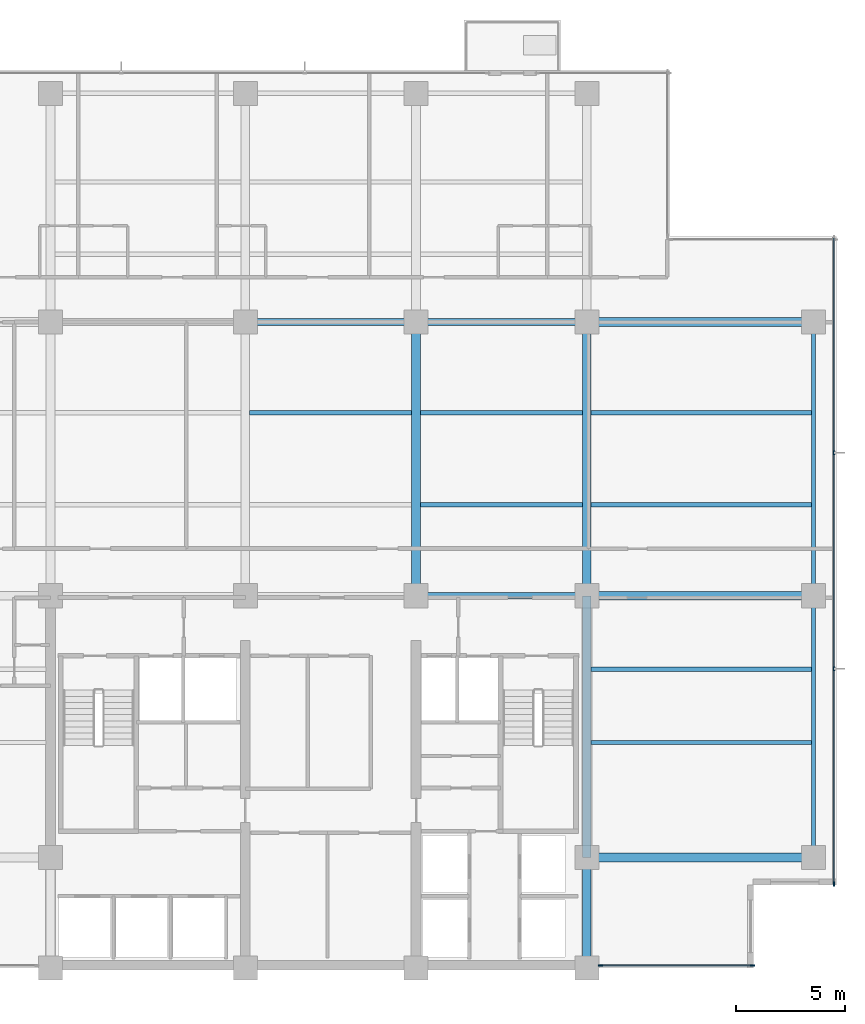
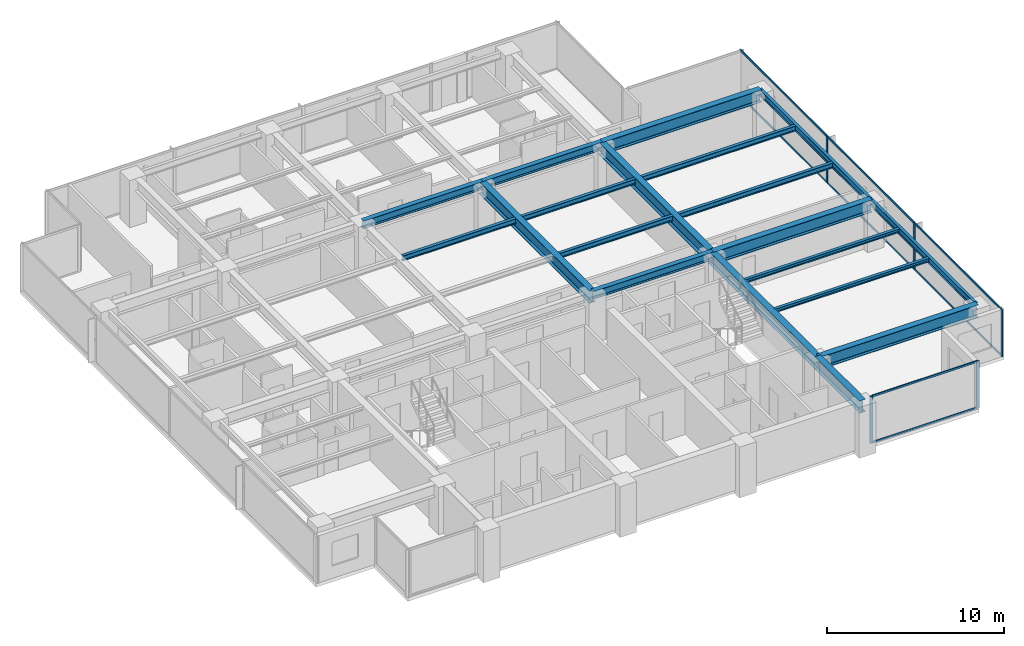
# One storey, part 3 of 15: 19 beams, 13 members, 2 elements without a shape of their own.
"""IFC4 building model written with IfcOpenShell, lengths in metres."""

import ifcopenshell
import ifcopenshell.guid

model = None  # the IFC model being written
_history = None  # IfcOwnerHistory: only IFC2X3 demands one
_inside = {}  # id of a spatial element -> (the spatial element, [elements in it])
_under = {}  # id of a project, library or spatial element -> (it, [spatial elements below it])
_declared = {}  # id of a project -> (the project, [libraries it declares])
_typed = {}  # id of a type object -> (the type object, [elements of that type])
_made_of = {}  # id of a material, layer set ... -> (it, [elements and type objects made of it])


def new_model(schema):
    """Start an empty IFC model of exactly this schema.

    Asked for "IFC4X3", IfcOpenShell would pick the latest addendum, in which some entities
    have other attributes; the version numbers below select the first issue.
    IFC2X3 requires an IfcOwnerHistory on every rooted entity: one is made here for all.
    """
    global model, _history
    if schema == "IFC4X3":
        model = ifcopenshell.file(schema_version=(4, 3, 0, 0))
    else:
        model = ifcopenshell.file(schema=schema)
    _inside.clear()
    _under.clear()
    _declared.clear()
    _typed.clear()
    _made_of.clear()
    _history = None
    if model.schema == "IFC2X3":
        org = make("IfcOrganization", Name="unknown")
        user = make(
            "IfcPersonAndOrganization",
            ThePerson=make("IfcPerson", FamilyName="unknown"),
            TheOrganization=org,
        )
        app = make(
            "IfcApplication",
            ApplicationDeveloper=org,
            Version="unknown",
            ApplicationFullName="unknown",
            ApplicationIdentifier="unknown",
        )
        _history = make(
            "IfcOwnerHistory",
            OwningUser=user,
            OwningApplication=app,
            ChangeAction="ADDED",
            CreationDate=0,
        )
    return model


def make(cls, **values):
    """One entity of the class cls with the attributes given. An attribute that is None is left unset."""
    return model.create_entity(
        cls, **{name: value for name, value in values.items() if value is not None}
    )


def rooted(cls, **values):
    """An entity with a GlobalId (a new one), such as an element, a storey or a relation."""
    return make(cls, GlobalId=ifcopenshell.guid.new(), OwnerHistory=_history, **values)


def si_unit(unit_type, name, prefix=None):
    """IfcSIUnit, for example si_unit("LENGTHUNIT", "METRE", prefix="MILLI")."""
    return make("IfcSIUnit", UnitType=unit_type, Prefix=prefix, Name=name)


def assignment(units):
    """IfcUnitAssignment: the units of a project."""
    return None if units is None else make("IfcUnitAssignment", Units=units)


def point(xyz):
    """IfcCartesianPoint."""
    return None if xyz is None else make("IfcCartesianPoint", Coordinates=xyz)


def direction(xyz):
    """IfcDirection."""
    return None if xyz is None else make("IfcDirection", DirectionRatios=xyz)


def frame(location, z_axis=None, x_axis=None):
    """IfcAxis2Placement3D, a coordinate frame: its origin and axes. An axis left out is left unset."""
    return make(
        "IfcAxis2Placement3D",
        Location=point(location),
        Axis=direction(z_axis),
        RefDirection=direction(x_axis),
    )


def frame_2d(location, x_axis=None):
    """IfcAxis2Placement2D, a coordinate frame in the plane: its origin and x axis."""
    return make(
        "IfcAxis2Placement2D", Location=point(location), RefDirection=direction(x_axis)
    )


def origin():
    """The frame at (0, 0, 0) with its axes left unset."""
    return frame((0.0, 0.0, 0.0))


def origin_2d():
    """The frame at (0, 0) in the plane with its x axis left unset."""
    return frame_2d((0.0, 0.0))


def place(relative_to, where):
    """IfcLocalPlacement: puts the frame where relative to a parent placement (None: the world)."""
    return make(
        "IfcLocalPlacement", PlacementRelTo=relative_to, RelativePlacement=where
    )


def context(
    kind, dimensions, precision=None, world=None, true_north=None, identifier=None
):
    """IfcGeometricRepresentationContext, for example the 3D "Model" context."""
    return make(
        "IfcGeometricRepresentationContext",
        ContextIdentifier=identifier,
        ContextType=kind,
        CoordinateSpaceDimension=dimensions,
        Precision=precision,
        WorldCoordinateSystem=world,
        TrueNorth=true_north,
    )


def subcontext(parent, identifier, kind, view, scale=None):
    """IfcGeometricRepresentationSubContext, for example "Body" below "Model"."""
    return make(
        "IfcGeometricRepresentationSubContext",
        ContextIdentifier=identifier,
        ContextType=kind,
        ParentContext=parent,
        TargetScale=scale,
        TargetView=view,
    )


def project(units=None, contexts=None):
    """IfcProject with its units and contexts."""
    return rooted(
        "IfcProject",
        Name="project",
        RepresentationContexts=contexts,
        UnitsInContext=assignment(units),
    )


def spatial(cls, under=None, at=None, **own):
    """A site, building, storey or space (cls), placed at a placement, below another one or the project."""
    s = rooted(cls, ObjectPlacement=at, **own)
    if under is not None:
        _under.setdefault(under.id(), (under, []))[1].append(s)
    return s


def profile(cls, at=None, kind="AREA", **sizes):
    """A parametric profile (cls). Its sizes go by their IFC names, for example OverallWidth=200.0."""
    return make(cls, ProfileType=kind, Position=at, **sizes)


def rectangle(**sizes):
    """IfcRectangleProfileDef."""
    return profile("IfcRectangleProfileDef", **sizes)


def i_section(**sizes):
    """IfcIShapeProfileDef."""
    return profile("IfcIShapeProfileDef", **sizes)


def extrude(swept, where, along, depth):
    """IfcExtrudedAreaSolid: the profile swept, set in the frame where, extruded along a direction by depth."""
    return make(
        "IfcExtrudedAreaSolid",
        SweptArea=swept,
        Position=where,
        ExtrudedDirection=direction(along),
        Depth=depth,
    )


def shape(context_of_items, identifier, shape_type, items):
    """IfcShapeRepresentation: the items that make up one representation, for example the "Body"."""
    return make(
        "IfcShapeRepresentation",
        ContextOfItems=context_of_items,
        RepresentationIdentifier=identifier,
        RepresentationType=shape_type,
        Items=items,
    )


def material(Name=None, Category=None):
    """IfcMaterial."""
    return make("IfcMaterial", Name=Name, Category=Category)


def layer(
    of_material, thickness, ventilated=None, Name=None, Category=None, Priority=None
):
    """IfcMaterialLayer: one layer of a wall or slab, of a material (None: an air gap)."""
    return make(
        "IfcMaterialLayer",
        Material=of_material,
        LayerThickness=thickness,
        IsVentilated=ventilated,
        Name=Name,
        Category=Category,
        Priority=Priority,
    )


def layer_set(layers, Name=None):
    """IfcMaterialLayerSet."""
    return make("IfcMaterialLayerSet", MaterialLayers=layers, LayerSetName=Name)


def material_profile(
    of_material, cross_section, Name=None, Category=None, Priority=None
):
    """IfcMaterialProfile: a cross section and its material."""
    return make(
        "IfcMaterialProfile",
        Name=Name,
        Material=of_material,
        Profile=cross_section,
        Priority=Priority,
        Category=Category,
    )


def profile_set(profiles, Name=None, composite=None):
    """IfcMaterialProfileSet."""
    return make(
        "IfcMaterialProfileSet",
        Name=Name,
        MaterialProfiles=profiles,
        CompositeProfile=composite,
    )


def made_of(thing, what):
    """Note that an element or type object is made of a material, layer set ...; save() writes the relation."""
    if what is not None:
        _made_of.setdefault(what.id(), (what, []))[1].append(thing)
    return thing


def type_object(cls, material=None, **own):
    """A type object (cls), such as IfcWallType, which elements share."""
    return made_of(rooted(cls, **own), material)


def element(
    cls,
    number,
    at=None,
    inside=None,
    cuts=None,
    type_object=None,
    material=None,
    context=None,
    identifier="Body",
    shape_type=None,
    held_by="IfcProductDefinitionShape",
    body=None,
    shapes=None,
    **own,
):
    """One element of the class cls, such as IfcWall. Its Tag is "e" and its number.

    at: its placement. inside: the storey or other place that contains it. cuts: it is an
    opening in that element (IfcRelVoidsElement). A single representation is given by context,
    identifier, shape_type and body (its items); several are given by shapes. held_by: the class
    of the entity that holds the representations. save() writes the other relations.
    """
    e = rooted(cls, Tag="e%d" % number, ObjectPlacement=at, **own)
    if body is not None:
        shapes = [shape(context, identifier, shape_type, body)]
    if shapes is not None:
        e.Representation = make(held_by, Representations=shapes)
    if inside is not None:
        _inside.setdefault(inside.id(), (inside, []))[1].append(e)
    if cuts is not None:
        rooted(
            "IfcRelVoidsElement", RelatingBuildingElement=cuts, RelatedOpeningElement=e
        )
    if type_object is not None:
        _typed.setdefault(type_object.id(), (type_object, []))[1].append(e)
    return made_of(e, material)


def aggregate(whole, parts):
    """IfcRelAggregates: a whole, such as a stair, and the parts it consists of."""
    return rooted("IfcRelAggregates", RelatingObject=whole, RelatedObjects=parts)


def save(model, path):
    """Write the relations noted so far, then the file.

    IfcRelAggregates (storeys below a building ...), IfcRelContainedInSpatialStructure (elements
    in a storey), IfcRelDefinesByType, IfcRelAssociatesMaterial and IfcRelDeclares: one each for
    every whole, place, type object, material and project.
    """
    for whole, parts in _under.values():
        aggregate(whole, parts)
    for where, things in _inside.values():
        rooted(
            "IfcRelContainedInSpatialStructure",
            RelatedElements=things,
            RelatingStructure=where,
        )
    for kind, things in _typed.values():
        rooted("IfcRelDefinesByType", RelatedObjects=things, RelatingType=kind)
    for what, things in _made_of.values():
        rooted("IfcRelAssociatesMaterial", RelatedObjects=things, RelatingMaterial=what)
    for by, libraries in _declared.values():
        rooted("IfcRelDeclares", RelatingContext=by, RelatedDefinitions=libraries)
    model.write(path)


model = new_model("IFC4")

# Units and contexts
model_context = context("Model", 3, precision=1e-05, world=origin(), true_north=direction((0.0, 1.0)))
body_context = subcontext(model_context, "Body", "Model", "MODEL_VIEW")
ifc_project = project(units=[si_unit("LENGTHUNIT", "METRE"), si_unit("AREAUNIT", "SQUARE_METRE"), si_unit("VOLUMEUNIT", "CUBIC_METRE"), si_unit("PLANEANGLEUNIT", "RADIAN"), si_unit("MASSUNIT", "GRAM", prefix="KILO")], contexts=[model_context])

# Site, building, storey
site_placement = place(None, origin())
site = spatial("IfcSite", under=ifc_project, at=site_placement, CompositionType="ELEMENT")
building_placement = place(site_placement, origin())
building = spatial("IfcBuilding", under=site, at=building_placement, Name="Qalmaran Belvedere Hotel", CompositionType="ELEMENT")
storey_placement = place(building_placement, frame((0.0, 0.0, 173.60009765625)))
storey = spatial("IfcBuildingStorey", under=building, at=storey_placement, Name="L44", CompositionType="ELEMENT", Elevation=173.60009765625)

# Beams
ifc_material_1 = material(Name="Steel S355JR", Category="steel")
ifc_material_profile_1 = material_profile(ifc_material_1, i_section(OverallWidth=0.201904296875, OverallDepth=0.2470703125, WebThickness=0.00732421875, FlangeThickness=0.010986328125, FilletRadius=0.011962890625, at=origin_2d()), Name="W250X49")
ifc_profile_set_1 = profile_set([ifc_material_profile_1], Name="Steel S355JR")
beam_type_1 = type_object("IfcBeamType", Name="BM-JST-W250X49", PredefinedType="JOIST", material=ifc_profile_set_1)
for number, where, z_axis, x_axis, name in (
    (1, (44.998046875, 13.800048828125, 3.12646484375), (1.0, 0.0, 0.0), (0.0, 1.0, 0.0), "L44 East Wing Joist 039"),
    (2, (44.998046875, 17.14990234375, 3.12646484375), (1.0, 0.0, 0.0), (0.0, 1.0, 0.0), "L44 East Wing Joist 041"),
):
    element("IfcBeam", number, at=place(storey_placement, frame(where, z_axis=z_axis, x_axis=x_axis)), inside=storey, type_object=beam_type_1, Name=name, PredefinedType="JOIST", context=body_context, shape_type="SweptSolid", body=[
        extrude(i_section(OverallWidth=0.201904296875, OverallDepth=0.2470703125, WebThickness=0.00732421875, FlangeThickness=0.010986328125, FilletRadius=0.011962890625, at=origin_2d()), origin(), (0.0, 0.0, 1.0), 10.057861328125),
    ])
ifc_material_profile_2 = material_profile(ifc_material_1, i_section(OverallWidth=0.39990234375, OverallDepth=0.85498046875, WebThickness=0.018310546875, FlangeThickness=0.029296875, FilletRadius=0.02392578125, at=origin_2d()), Name="W840X299")
ifc_profile_set_2 = profile_set([ifc_material_profile_2], Name="Steel S355JR")
beam_type_2 = type_object("IfcBeamType", Name="BM-PG3-W840X299", PredefinedType="USERDEFINED", material=ifc_profile_set_2)
for number, where, z_axis, x_axis, name in (
    (3, (37.0, 20.5, 2.822509765625), (0.0, 1.0, 0.0), (-1.0, 0.0, 0.0), "L44 Mid-Plate N-S Girder 18"),
    (4, (44.800048828125, 20.5, 2.822509765625), (0.0, 1.0, 0.0), (-1.0, 0.0, 0.0), "L44 Mid-Plate N-S Girder 20"),
):
    element("IfcBeam", number, at=place(storey_placement, frame(where, z_axis=z_axis, x_axis=x_axis)), inside=storey, type_object=beam_type_2, Name=name, ObjectType="GIRDER", PredefinedType="USERDEFINED", context=body_context, shape_type="SweptSolid", body=[
        extrude(i_section(OverallWidth=0.39990234375, OverallDepth=0.85498046875, WebThickness=0.018310546875, FlangeThickness=0.029296875, FilletRadius=0.02392578125, at=origin_2d()), origin(), (0.0, 0.0, 1.0), 12.5),
    ])
beam_1_placement = place(storey_placement, frame((44.800048828125, 3.5, 2.822509765625), z_axis=(0.0, 1.0, 0.0), x_axis=(-1.0, 0.0, 0.0)))
element("IfcBeam", 5, at=beam_1_placement, inside=storey, type_object=beam_type_2, Name="L44 East Core Edge Girder A", ObjectType="GIRDER", PredefinedType="USERDEFINED", context=body_context, shape_type="SweptSolid", body=[
    extrude(i_section(OverallWidth=0.39990234375, OverallDepth=0.85498046875, WebThickness=0.018310546875, FlangeThickness=0.029296875, FilletRadius=0.02392578125, at=origin_2d()), origin(), (0.0, 0.0, 1.0), 5.050048828125),
])
beam_2_placement = place(storey_placement, frame((44.800048828125, 8.550048828125, 2.822509765625), z_axis=(0.0, 1.0, 0.0), x_axis=(-1.0, 0.0, 0.0)))
element("IfcBeam", 6, at=beam_2_placement, inside=storey, type_object=beam_type_2, Name="L44 East Core Edge Girder B", ObjectType="GIRDER", PredefinedType="USERDEFINED", context=body_context, shape_type="SweptSolid", body=[
    extrude(i_section(OverallWidth=0.39990234375, OverallDepth=0.85498046875, WebThickness=0.018310546875, FlangeThickness=0.029296875, FilletRadius=0.02392578125, at=origin_2d()), origin(), (0.0, 0.0, 1.0), 11.949951171875),
])
for number, where, z_axis, x_axis, name in (
    (7, (44.800048828125, 8.550048828125, 2.822509765625), (1.0, 0.0, 0.0), (0.0, 1.0, 0.0), "L44 East Wing Girder 25"),
    (8, (44.800048828125, 20.5, 2.822509765625), (1.0, 0.0, 0.0), (0.0, 1.0, 0.0), "L44 East Wing Girder 26"),
    (9, (44.800048828125, 33.0, 2.822509765625), (1.0, 0.0, 0.0), (0.0, 1.0, 0.0), "L44 East Wing Girder 27"),
):
    element("IfcBeam", number, at=place(storey_placement, frame(where, z_axis=z_axis, x_axis=x_axis)), inside=storey, type_object=beam_type_2, Name=name, ObjectType="GIRDER", PredefinedType="USERDEFINED", context=body_context, shape_type="SweptSolid", body=[
        extrude(i_section(OverallWidth=0.39990234375, OverallDepth=0.85498046875, WebThickness=0.018310546875, FlangeThickness=0.029296875, FilletRadius=0.02392578125, at=origin_2d()), origin(), (0.0, 0.0, 1.0), 10.349853515625),
    ])
ifc_material_profile_3 = material_profile(ifc_material_1, i_section(OverallWidth=0.205078125, OverallDepth=0.35400390625, WebThickness=0.009521484375, FlangeThickness=0.016845703125, FilletRadius=0.014892578125, at=origin_2d()), Name="W360X79")
ifc_profile_set_3 = profile_set([ifc_material_profile_3], Name="Steel S355JR")
beam_type_3 = type_object("IfcBeamType", Name="BM-SB3-W360X79", PredefinedType="BEAM", material=ifc_profile_set_3)
beam_3_placement = place(storey_placement, frame((37.197998046875, 24.64990234375, 3.072998046875), z_axis=(1.0, 0.0, 0.0), x_axis=(0.0, 1.0, 0.0)))
element("IfcBeam", 10, at=beam_3_placement, inside=storey, type_object=beam_type_3, Name="L44 Secondary Floor Beam 031", PredefinedType="BEAM", context=body_context, shape_type="SweptSolid", body=[
    extrude(i_section(OverallWidth=0.205078125, OverallDepth=0.35400390625, WebThickness=0.009521484375, FlangeThickness=0.016845703125, FilletRadius=0.014892578125, at=origin_2d()), origin(), (0.0, 0.0, 1.0), 7.404052734375),
])
beam_4_placement = place(storey_placement, frame((44.998046875, 24.64990234375, 3.072998046875), z_axis=(1.0, 0.0, 0.0), x_axis=(0.0, 1.0, 0.0)))
element("IfcBeam", 11, at=beam_4_placement, inside=storey, type_object=beam_type_3, Name="L44 East Secondary Beam 032", PredefinedType="BEAM", context=body_context, shape_type="SweptSolid", body=[
    extrude(i_section(OverallWidth=0.205078125, OverallDepth=0.35400390625, WebThickness=0.009521484375, FlangeThickness=0.016845703125, FilletRadius=0.014892578125, at=origin_2d()), origin(), (0.0, 0.0, 1.0), 10.057861328125),
])
for number, where, z_axis, x_axis, name in (
    (12, (29.39794921875, 28.85009765625, 3.072998046875), (1.0, 0.0, 0.0), (0.0, 1.0, 0.0), "L44 Secondary Floor Beam 035"),
    (13, (37.197998046875, 28.85009765625, 3.072998046875), (1.0, 0.0, 0.0), (0.0, 1.0, 0.0), "L44 Secondary Floor Beam 036"),
):
    element("IfcBeam", number, at=place(storey_placement, frame(where, z_axis=z_axis, x_axis=x_axis)), inside=storey, type_object=beam_type_3, Name=name, PredefinedType="BEAM", context=body_context, shape_type="SweptSolid", body=[
        extrude(i_section(OverallWidth=0.205078125, OverallDepth=0.35400390625, WebThickness=0.009521484375, FlangeThickness=0.016845703125, FilletRadius=0.014892578125, at=origin_2d()), origin(), (0.0, 0.0, 1.0), 7.404052734375),
    ])
beam_5_placement = place(storey_placement, frame((44.998046875, 28.85009765625, 3.072998046875), z_axis=(1.0, 0.0, 0.0), x_axis=(0.0, 1.0, 0.0)))
element("IfcBeam", 14, at=beam_5_placement, inside=storey, type_object=beam_type_3, Name="L44 East Secondary Beam 037", PredefinedType="BEAM", context=body_context, shape_type="SweptSolid", body=[
    extrude(i_section(OverallWidth=0.205078125, OverallDepth=0.35400390625, WebThickness=0.009521484375, FlangeThickness=0.016845703125, FilletRadius=0.014892578125, at=origin_2d()), origin(), (0.0, 0.0, 1.0), 10.057861328125),
])
ifc_material_profile_4 = material_profile(ifc_material_1, i_section(OverallWidth=0.19189453125, OverallDepth=0.462890625, WebThickness=0.010498046875, FlangeThickness=0.017578125, FilletRadius=0.01611328125, at=origin_2d()), Name="W460X89")
ifc_profile_set_4 = profile_set([ifc_material_profile_4], Name="Steel S355JR")
beam_type_4 = type_object("IfcBeamType", Name="BM-SP2-W460X89", PredefinedType="SPANDREL", material=ifc_profile_set_4)
beam_6_placement = place(storey_placement, frame((55.14990234375, 8.550048828125, 3.018310546875), z_axis=(0.0, 1.0, 0.0), x_axis=(-1.0, 0.0, 0.0)))
element("IfcBeam", 15, at=beam_6_placement, inside=storey, type_object=beam_type_4, Name="L44 Perimeter Spandrel 03", PredefinedType="SPANDREL", context=body_context, shape_type="SweptSolid", body=[
    extrude(i_section(OverallWidth=0.19189453125, OverallDepth=0.462890625, WebThickness=0.010498046875, FlangeThickness=0.017578125, FilletRadius=0.01611328125, at=origin_2d()), origin(), (0.0, 0.0, 1.0), 11.949951171875),
])
beam_7_placement = place(storey_placement, frame((55.14990234375, 20.5, 3.018310546875), z_axis=(0.0, 1.0, 0.0), x_axis=(-1.0, 0.0, 0.0)))
element("IfcBeam", 16, at=beam_7_placement, inside=storey, type_object=beam_type_4, Name="L44 Perimeter Spandrel 04", PredefinedType="SPANDREL", context=body_context, shape_type="SweptSolid", body=[
    extrude(i_section(OverallWidth=0.19189453125, OverallDepth=0.462890625, WebThickness=0.010498046875, FlangeThickness=0.017578125, FilletRadius=0.01611328125, at=origin_2d()), origin(), (0.0, 0.0, 1.0), 12.5),
])
ifc_material_profile_5 = material_profile(ifc_material_1, i_section(OverallWidth=0.31201171875, OverallDepth=0.54296875, WebThickness=0.0126953125, FlangeThickness=0.020263671875, FilletRadius=0.01806640625, at=origin_2d()), Name="W530X150")
ifc_profile_set_5 = profile_set([ifc_material_profile_5], Name="Steel S355JR")
beam_type_5 = type_object("IfcBeamType", Name="BM-Z3-W530X150", PredefinedType="USERDEFINED", material=ifc_profile_set_5)
for number, where, z_axis, x_axis, name in (
    (17, (37.0, 20.5, 2.978515625), (1.0, 0.0, 0.0), (0.0, 1.0, 0.0), "L44 Interior E-W Girder 10"),
    (18, (29.199951171875, 33.0, 2.978515625), (1.0, 0.0, 0.0), (0.0, 1.0, 0.0), "L44 Interior E-W Girder 12"),
    (19, (37.0, 33.0, 2.978515625), (1.0, 0.0, 0.0), (0.0, 1.0, 0.0), "L44 Interior E-W Girder 13"),
):
    element("IfcBeam", number, at=place(storey_placement, frame(where, z_axis=z_axis, x_axis=x_axis)), inside=storey, type_object=beam_type_5, Name=name, ObjectType="GIRDER", PredefinedType="USERDEFINED", context=body_context, shape_type="SweptSolid", body=[
        extrude(i_section(OverallWidth=0.31201171875, OverallDepth=0.54296875, WebThickness=0.0126953125, FlangeThickness=0.020263671875, FilletRadius=0.01806640625, at=origin_2d()), origin(), (0.0, 0.0, 1.0), 7.800048828125),
    ])

# Curtain wall, members
ifc_material_2 = material(Name="Anodised Bronze Aluminium", Category="aluminium")
ifc_layer = layer(ifc_material_2, 0.195068359375, Name="Anodised Bronze Aluminium")
ifc_layer_set = layer_set([ifc_layer], Name="Anodised Bronze Aluminium")
curtain_wall_type = type_object("IfcCurtainWallType", Name="CW4-TOWER-HIGHMID", PredefinedType="NOTDEFINED", material=ifc_layer_set)
curtain_wall_1_placement = place(storey_placement, origin())
curtain_wall_1 = element("IfcCurtainWall", 20, at=curtain_wall_1_placement, inside=storey, type_object=curtain_wall_type, Name="L44 Curtain Wall CW4", PredefinedType="NOTDEFINED")
ifc_material_profile_6 = material_profile(ifc_material_2, rectangle(XDim=0.070068359375, YDim=0.18994140625, at=origin_2d()), Name="CWM70X190")
ifc_profile_set_6 = profile_set([ifc_material_profile_6], Name="Anodised Bronze Aluminium")
member_type_1 = type_object("IfcMemberType", Name="CWM-70X190", PredefinedType="MULLION", material=ifc_profile_set_6)
member_1_placement = place(storey_placement, frame((45.425048828125, 3.6201171875, 0.0), z_axis=(0.0, 0.0, 1.0), x_axis=(0.0, 1.0, 0.0)))
member_1 = element("IfcMember", 21, at=member_1_placement, type_object=member_type_1, Name="CW4 mullion 1", PredefinedType="MULLION", context=body_context, shape_type="SweptSolid", body=[
    extrude(rectangle(XDim=0.070068359375, YDim=0.18994140625, at=origin_2d()), origin(), (0.0, 0.0, 1.0), 3.25),
])
member_2_placement = place(storey_placement, frame((52.364990234375, 3.6201171875, 0.0), z_axis=(0.0, 0.0, 1.0), x_axis=(0.0, 1.0, 0.0)))
member_2 = element("IfcMember", 22, at=member_2_placement, type_object=member_type_1, Name="CW4 mullion 2", PredefinedType="MULLION", context=body_context, shape_type="SweptSolid", body=[
    extrude(rectangle(XDim=0.070068359375, YDim=0.18994140625, at=origin_2d()), origin(), (0.0, 0.0, 1.0), 3.25),
])

curtain_wall_2_placement = place(storey_placement, origin())
curtain_wall_2 = element("IfcCurtainWall", 23, at=curtain_wall_2_placement, inside=storey, type_object=curtain_wall_type, Name="L44 Curtain Wall CW4", PredefinedType="NOTDEFINED")
member_3_placement = place(storey_placement, frame((56.080078125, 7.3349609375, 0.0), z_axis=(0.0, 0.0, 1.0), x_axis=(-1.0, 0.0, 0.0)))
member_3 = element("IfcMember", 24, at=member_3_placement, type_object=member_type_1, Name="CW4 mullion 1", PredefinedType="MULLION", context=body_context, shape_type="SweptSolid", body=[
    extrude(rectangle(XDim=0.070068359375, YDim=0.18994140625, at=origin_2d()), origin(), (0.0, 0.0, 1.0), 3.25),
])
member_4_placement = place(storey_placement, frame((56.080078125, 17.166748046875, 0.0), z_axis=(0.0, 0.0, 1.0), x_axis=(-1.0, 0.0, 0.0)))
member_4 = element("IfcMember", 25, at=member_4_placement, type_object=member_type_1, Name="CW4 mullion 2", PredefinedType="MULLION", context=body_context, shape_type="SweptSolid", body=[
    extrude(rectangle(XDim=0.070068359375, YDim=0.18994140625, at=origin_2d()), origin(), (0.0, 0.0, 1.0), 3.25),
])
member_5_placement = place(storey_placement, frame((56.080078125, 27.033447265625, 0.0), z_axis=(0.0, 0.0, 1.0), x_axis=(-1.0, 0.0, 0.0)))
member_5 = element("IfcMember", 26, at=member_5_placement, type_object=member_type_1, Name="CW4 mullion 3", PredefinedType="MULLION", context=body_context, shape_type="SweptSolid", body=[
    extrude(rectangle(XDim=0.070068359375, YDim=0.18994140625, at=origin_2d()), origin(), (0.0, 0.0, 1.0), 3.25),
])

# Member
ifc_material_profile_7 = material_profile(ifc_material_2, rectangle(XDim=0.06494140625, YDim=0.1298828125, at=origin_2d()), Name="CWT65X130")
ifc_profile_set_7 = profile_set([ifc_material_profile_7], Name="Anodised Bronze Aluminium")
member_type_2 = type_object("IfcMemberType", Name="CWT-65X130", PredefinedType="USERDEFINED", material=ifc_profile_set_7)
member_6_placement = place(storey_placement, frame((45.4599609375, 3.6201171875, 0.032470703125), z_axis=(1.0, 0.0, 0.0), x_axis=(0.0, 1.0, 0.0)))
member_6 = element("IfcMember", 27, at=member_6_placement, type_object=member_type_2, Name="CW4 transom 1.1", ObjectType="TRANSOM", PredefinedType="USERDEFINED", context=body_context, shape_type="SweptSolid", body=[
    extrude(rectangle(XDim=0.06494140625, YDim=0.1298828125, at=origin_2d()), origin(), (0.0, 0.0, 1.0), 6.8701171875),
])

member_7_placement = place(storey_placement, frame((45.4599609375, 3.6201171875, 3.21728515625), z_axis=(1.0, 0.0, 0.0), x_axis=(0.0, 1.0, 0.0)))
member_7 = element("IfcMember", 28, at=member_7_placement, type_object=member_type_2, Name="CW4 transom 1.2", ObjectType="TRANSOM", PredefinedType="USERDEFINED", context=body_context, shape_type="SweptSolid", body=[
    extrude(rectangle(XDim=0.06494140625, YDim=0.1298828125, at=origin_2d()), origin(), (0.0, 0.0, 1.0), 6.8701171875),
])

aggregate(curtain_wall_1, [member_1, member_2, member_6, member_7])

member_8_placement = place(storey_placement, frame((56.080078125, 7.3701171875, 0.032470703125), z_axis=(0.0, 1.0, 0.0), x_axis=(-1.0, 0.0, 0.0)))
member_8 = element("IfcMember", 29, at=member_8_placement, type_object=member_type_2, Name="CW4 transom 1.1", ObjectType="TRANSOM", PredefinedType="USERDEFINED", context=body_context, shape_type="SweptSolid", body=[
    extrude(rectangle(XDim=0.06494140625, YDim=0.1298828125, at=origin_2d()), origin(), (0.0, 0.0, 1.0), 9.761474609375),
])

member_9_placement = place(storey_placement, frame((56.080078125, 7.3701171875, 3.21728515625), z_axis=(0.0, 1.0, 0.0), x_axis=(-1.0, 0.0, 0.0)))
member_9 = element("IfcMember", 30, at=member_9_placement, type_object=member_type_2, Name="CW4 transom 1.2", ObjectType="TRANSOM", PredefinedType="USERDEFINED", context=body_context, shape_type="SweptSolid", body=[
    extrude(rectangle(XDim=0.06494140625, YDim=0.1298828125, at=origin_2d()), origin(), (0.0, 0.0, 1.0), 9.761474609375),
])

member_10_placement = place(storey_placement, frame((56.080078125, 17.20166015625, 0.032470703125), z_axis=(0.0, 1.0, 0.0), x_axis=(-1.0, 0.0, 0.0)))
member_10 = element("IfcMember", 31, at=member_10_placement, type_object=member_type_2, Name="CW4 transom 2.1", ObjectType="TRANSOM", PredefinedType="USERDEFINED", context=body_context, shape_type="SweptSolid", body=[
    extrude(rectangle(XDim=0.06494140625, YDim=0.1298828125, at=origin_2d()), origin(), (0.0, 0.0, 1.0), 9.796630859375),
])

member_11_placement = place(storey_placement, frame((56.080078125, 17.20166015625, 3.21728515625), z_axis=(0.0, 1.0, 0.0), x_axis=(-1.0, 0.0, 0.0)))
member_11 = element("IfcMember", 32, at=member_11_placement, type_object=member_type_2, Name="CW4 transom 2.2", ObjectType="TRANSOM", PredefinedType="USERDEFINED", context=body_context, shape_type="SweptSolid", body=[
    extrude(rectangle(XDim=0.06494140625, YDim=0.1298828125, at=origin_2d()), origin(), (0.0, 0.0, 1.0), 9.796630859375),
])

member_12_placement = place(storey_placement, frame((56.080078125, 27.068359375, 0.032470703125), z_axis=(0.0, 1.0, 0.0), x_axis=(-1.0, 0.0, 0.0)))
member_12 = element("IfcMember", 33, at=member_12_placement, type_object=member_type_2, Name="CW4 transom 3.1", ObjectType="TRANSOM", PredefinedType="USERDEFINED", context=body_context, shape_type="SweptSolid", body=[
    extrude(rectangle(XDim=0.06494140625, YDim=0.1298828125, at=origin_2d()), origin(), (0.0, 0.0, 1.0), 9.76171875),
])

member_13_placement = place(storey_placement, frame((56.080078125, 27.068359375, 3.21728515625), z_axis=(0.0, 1.0, 0.0), x_axis=(-1.0, 0.0, 0.0)))
member_13 = element("IfcMember", 34, at=member_13_placement, type_object=member_type_2, Name="CW4 transom 3.2", ObjectType="TRANSOM", PredefinedType="USERDEFINED", context=body_context, shape_type="SweptSolid", body=[
    extrude(rectangle(XDim=0.06494140625, YDim=0.1298828125, at=origin_2d()), origin(), (0.0, 0.0, 1.0), 9.76171875),
])

aggregate(curtain_wall_2, [member_3, member_4, member_5, member_8, member_9, member_10, member_11, member_12, member_13])

save(model, "model.ifc")
